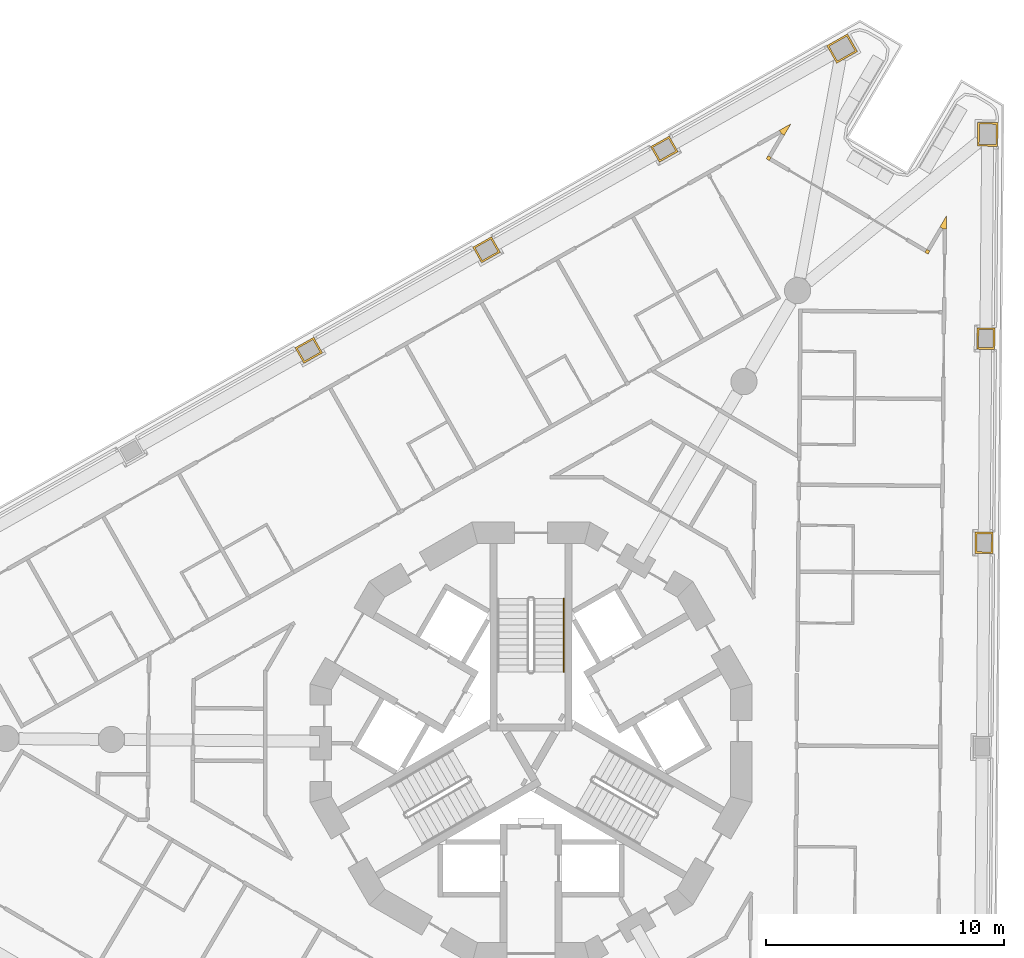
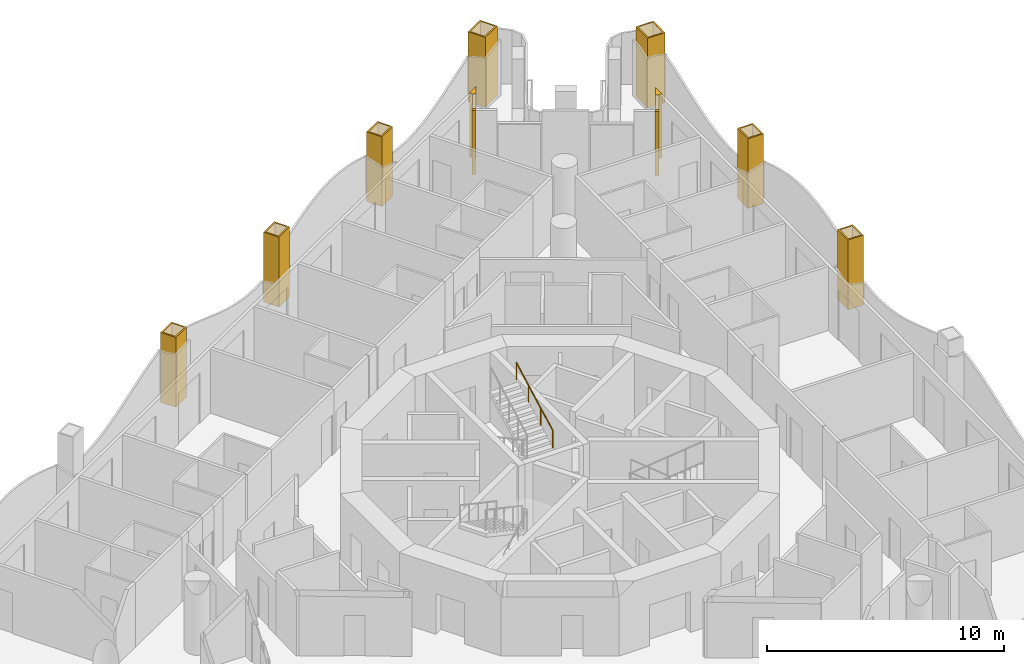
# One storey, part 17 of 18: 11 coverings, 1 railing.
"""IFC4 building model written with IfcOpenShell, lengths in metres."""

import ifcopenshell
import ifcopenshell.guid

model = None  # the IFC model being written
_history = None  # IfcOwnerHistory: only IFC2X3 demands one
_inside = {}  # id of a spatial element -> (the spatial element, [elements in it])
_under = {}  # id of a project, library or spatial element -> (it, [spatial elements below it])
_declared = {}  # id of a project -> (the project, [libraries it declares])
_typed = {}  # id of a type object -> (the type object, [elements of that type])
_made_of = {}  # id of a material, layer set ... -> (it, [elements and type objects made of it])


def new_model(schema):
    """Start an empty IFC model of exactly this schema.

    Asked for "IFC4X3", IfcOpenShell would pick the latest addendum, in which some entities
    have other attributes; the version numbers below select the first issue.
    IFC2X3 requires an IfcOwnerHistory on every rooted entity: one is made here for all.
    """
    global model, _history
    if schema == "IFC4X3":
        model = ifcopenshell.file(schema_version=(4, 3, 0, 0))
    else:
        model = ifcopenshell.file(schema=schema)
    _inside.clear()
    _under.clear()
    _declared.clear()
    _typed.clear()
    _made_of.clear()
    _history = None
    if model.schema == "IFC2X3":
        org = make("IfcOrganization", Name="unknown")
        user = make(
            "IfcPersonAndOrganization",
            ThePerson=make("IfcPerson", FamilyName="unknown"),
            TheOrganization=org,
        )
        app = make(
            "IfcApplication",
            ApplicationDeveloper=org,
            Version="unknown",
            ApplicationFullName="unknown",
            ApplicationIdentifier="unknown",
        )
        _history = make(
            "IfcOwnerHistory",
            OwningUser=user,
            OwningApplication=app,
            ChangeAction="ADDED",
            CreationDate=0,
        )
    return model


def make(cls, **values):
    """One entity of the class cls with the attributes given. An attribute that is None is left unset."""
    return model.create_entity(
        cls, **{name: value for name, value in values.items() if value is not None}
    )


def rooted(cls, **values):
    """An entity with a GlobalId (a new one), such as an element, a storey or a relation."""
    return make(cls, GlobalId=ifcopenshell.guid.new(), OwnerHistory=_history, **values)


def si_unit(unit_type, name, prefix=None):
    """IfcSIUnit, for example si_unit("LENGTHUNIT", "METRE", prefix="MILLI")."""
    return make("IfcSIUnit", UnitType=unit_type, Prefix=prefix, Name=name)


def assignment(units):
    """IfcUnitAssignment: the units of a project."""
    return None if units is None else make("IfcUnitAssignment", Units=units)


def point(xyz):
    """IfcCartesianPoint."""
    return None if xyz is None else make("IfcCartesianPoint", Coordinates=xyz)


def direction(xyz):
    """IfcDirection."""
    return None if xyz is None else make("IfcDirection", DirectionRatios=xyz)


def frame(location, z_axis=None, x_axis=None):
    """IfcAxis2Placement3D, a coordinate frame: its origin and axes. An axis left out is left unset."""
    return make(
        "IfcAxis2Placement3D",
        Location=point(location),
        Axis=direction(z_axis),
        RefDirection=direction(x_axis),
    )


def frame_2d(location, x_axis=None):
    """IfcAxis2Placement2D, a coordinate frame in the plane: its origin and x axis."""
    return make(
        "IfcAxis2Placement2D", Location=point(location), RefDirection=direction(x_axis)
    )


def origin():
    """The frame at (0, 0, 0) with its axes left unset."""
    return frame((0.0, 0.0, 0.0))


def origin_2d():
    """The frame at (0, 0) in the plane with its x axis left unset."""
    return frame_2d((0.0, 0.0))


def place(relative_to, where):
    """IfcLocalPlacement: puts the frame where relative to a parent placement (None: the world)."""
    return make(
        "IfcLocalPlacement", PlacementRelTo=relative_to, RelativePlacement=where
    )


def context(
    kind, dimensions, precision=None, world=None, true_north=None, identifier=None
):
    """IfcGeometricRepresentationContext, for example the 3D "Model" context."""
    return make(
        "IfcGeometricRepresentationContext",
        ContextIdentifier=identifier,
        ContextType=kind,
        CoordinateSpaceDimension=dimensions,
        Precision=precision,
        WorldCoordinateSystem=world,
        TrueNorth=true_north,
    )


def subcontext(parent, identifier, kind, view, scale=None):
    """IfcGeometricRepresentationSubContext, for example "Body" below "Model"."""
    return make(
        "IfcGeometricRepresentationSubContext",
        ContextIdentifier=identifier,
        ContextType=kind,
        ParentContext=parent,
        TargetScale=scale,
        TargetView=view,
    )


def project(units=None, contexts=None):
    """IfcProject with its units and contexts."""
    return rooted(
        "IfcProject",
        Name="project",
        RepresentationContexts=contexts,
        UnitsInContext=assignment(units),
    )


def spatial(cls, under=None, at=None, **own):
    """A site, building, storey or space (cls), placed at a placement, below another one or the project."""
    s = rooted(cls, ObjectPlacement=at, **own)
    if under is not None:
        _under.setdefault(under.id(), (under, []))[1].append(s)
    return s


def polyline(points):
    """IfcPolyline through the points."""
    return make("IfcPolyline", Points=[point(p) for p in points])


def profile(cls, at=None, kind="AREA", **sizes):
    """A parametric profile (cls). Its sizes go by their IFC names, for example OverallWidth=200.0."""
    return make(cls, ProfileType=kind, Position=at, **sizes)


def circle(**sizes):
    """IfcCircleProfileDef."""
    return profile("IfcCircleProfileDef", **sizes)


def outline(outer, holes=None, kind="AREA"):
    """IfcArbitraryClosedProfileDef: a profile drawn as a closed curve; with holes, ...WithVoids."""
    if holes is None:
        return make("IfcArbitraryClosedProfileDef", ProfileType=kind, OuterCurve=outer)
    return make(
        "IfcArbitraryProfileDefWithVoids",
        ProfileType=kind,
        OuterCurve=outer,
        InnerCurves=holes,
    )


def extrude(swept, where, along, depth):
    """IfcExtrudedAreaSolid: the profile swept, set in the frame where, extruded along a direction by depth."""
    return make(
        "IfcExtrudedAreaSolid",
        SweptArea=swept,
        Position=where,
        ExtrudedDirection=direction(along),
        Depth=depth,
    )


def shape(context_of_items, identifier, shape_type, items):
    """IfcShapeRepresentation: the items that make up one representation, for example the "Body"."""
    return make(
        "IfcShapeRepresentation",
        ContextOfItems=context_of_items,
        RepresentationIdentifier=identifier,
        RepresentationType=shape_type,
        Items=items,
    )


def material(Name=None, Category=None):
    """IfcMaterial."""
    return make("IfcMaterial", Name=Name, Category=Category)


def layer(
    of_material, thickness, ventilated=None, Name=None, Category=None, Priority=None
):
    """IfcMaterialLayer: one layer of a wall or slab, of a material (None: an air gap)."""
    return make(
        "IfcMaterialLayer",
        Material=of_material,
        LayerThickness=thickness,
        IsVentilated=ventilated,
        Name=Name,
        Category=Category,
        Priority=Priority,
    )


def layer_set(layers, Name=None):
    """IfcMaterialLayerSet."""
    return make("IfcMaterialLayerSet", MaterialLayers=layers, LayerSetName=Name)


def made_of(thing, what):
    """Note that an element or type object is made of a material, layer set ...; save() writes the relation."""
    if what is not None:
        _made_of.setdefault(what.id(), (what, []))[1].append(thing)
    return thing


def type_object(cls, material=None, **own):
    """A type object (cls), such as IfcWallType, which elements share."""
    return made_of(rooted(cls, **own), material)


def element(
    cls,
    number,
    at=None,
    inside=None,
    cuts=None,
    type_object=None,
    material=None,
    context=None,
    identifier="Body",
    shape_type=None,
    held_by="IfcProductDefinitionShape",
    body=None,
    shapes=None,
    **own,
):
    """One element of the class cls, such as IfcWall. Its Tag is "e" and its number.

    at: its placement. inside: the storey or other place that contains it. cuts: it is an
    opening in that element (IfcRelVoidsElement). A single representation is given by context,
    identifier, shape_type and body (its items); several are given by shapes. held_by: the class
    of the entity that holds the representations. save() writes the other relations.
    """
    e = rooted(cls, Tag="e%d" % number, ObjectPlacement=at, **own)
    if body is not None:
        shapes = [shape(context, identifier, shape_type, body)]
    if shapes is not None:
        e.Representation = make(held_by, Representations=shapes)
    if inside is not None:
        _inside.setdefault(inside.id(), (inside, []))[1].append(e)
    if cuts is not None:
        rooted(
            "IfcRelVoidsElement", RelatingBuildingElement=cuts, RelatedOpeningElement=e
        )
    if type_object is not None:
        _typed.setdefault(type_object.id(), (type_object, []))[1].append(e)
    return made_of(e, material)


def aggregate(whole, parts):
    """IfcRelAggregates: a whole, such as a stair, and the parts it consists of."""
    return rooted("IfcRelAggregates", RelatingObject=whole, RelatedObjects=parts)


def save(model, path):
    """Write the relations noted so far, then the file.

    IfcRelAggregates (storeys below a building ...), IfcRelContainedInSpatialStructure (elements
    in a storey), IfcRelDefinesByType, IfcRelAssociatesMaterial and IfcRelDeclares: one each for
    every whole, place, type object, material and project.
    """
    for whole, parts in _under.values():
        aggregate(whole, parts)
    for where, things in _inside.values():
        rooted(
            "IfcRelContainedInSpatialStructure",
            RelatedElements=things,
            RelatingStructure=where,
        )
    for kind, things in _typed.values():
        rooted("IfcRelDefinesByType", RelatedObjects=things, RelatingType=kind)
    for what, things in _made_of.values():
        rooted("IfcRelAssociatesMaterial", RelatedObjects=things, RelatingMaterial=what)
    for by, libraries in _declared.values():
        rooted("IfcRelDeclares", RelatingContext=by, RelatedDefinitions=libraries)
    model.write(path)


model = new_model("IFC4")

# Units and contexts
model_context = context("Model", 3, precision=1e-05, world=origin(), true_north=direction((0.0, 1.0)))
body_context = subcontext(model_context, "Body", "Model", "MODEL_VIEW")
ifc_project = project(units=[si_unit("LENGTHUNIT", "METRE"), si_unit("AREAUNIT", "SQUARE_METRE"), si_unit("VOLUMEUNIT", "CUBIC_METRE"), si_unit("PLANEANGLEUNIT", "RADIAN"), si_unit("MASSUNIT", "GRAM", prefix="KILO")], contexts=[model_context])

# Site, building, storey
site_placement = place(None, origin())
site = spatial("IfcSite", under=ifc_project, at=site_placement, CompositionType="ELEMENT")
building_placement = place(site_placement, origin())
building = spatial("IfcBuilding", under=site, at=building_placement, Name="Trine Commons Tower", CompositionType="ELEMENT")
storey_placement = place(building_placement, frame((0.0, 0.0, 171.89990234375)))
storey = spatial("IfcBuildingStorey", under=building, at=storey_placement, Name="L44", CompositionType="ELEMENT", Elevation=171.89990234375)

# Coverings
ifc_material_1 = material(Name="Aluminium-framed insulated wall panel", Category="aluminium")
ifc_layer_1 = layer(ifc_material_1, 0.14990234375)
ifc_layer_set_1 = layer_set([ifc_layer_1], Name="Aluminium-framed insulated wall panel")
covering_type_1 = type_object("IfcCoveringType", Name="Glazing corner post, aluminium", PredefinedType="CLADDING", material=ifc_layer_set_1)
covering_1_placement = place(storey_placement, origin())
element("IfcCovering", 1, at=covering_1_placement, inside=storey, type_object=covering_type_1, Name="Glazing corner post 5-05", PredefinedType="CLADDING", context=body_context, shape_type="SweptSolid", body=[
    extrude(outline(polyline([(90.626220703125, 88.007080078125), (90.910400390625, 88.489501953125), (90.423095703125, 88.213623046875), (90.496826171875, 88.083251953125), (90.626220703125, 88.007080078125)])), origin(), (0.0, 0.0, 1.0), 3.300048828125),
])
covering_2_placement = place(storey_placement, origin())
element("IfcCovering", 2, at=covering_2_placement, inside=storey, type_object=covering_type_1, Name="Glazing corner post 5-06", PredefinedType="CLADDING", context=body_context, shape_type="SweptSolid", body=[
    extrude(outline(polyline([(89.9990234375, 86.9423828125), (90.0751953125, 87.071533203125), (89.94580078125, 87.147705078125), (89.86962890625, 87.018310546875), (89.9990234375, 86.9423828125)])), origin(), (0.0, 0.0, 1.0), 3.300048828125),
])
covering_3_placement = place(storey_placement, origin())
element("IfcCovering", 3, at=covering_3_placement, inside=storey, type_object=covering_type_1, Name="Glazing corner post 5-07", PredefinedType="CLADDING", context=body_context, shape_type="SweptSolid", body=[
    extrude(outline(polyline([(96.530029296875, 83.09521484375), (96.659423828125, 83.01904296875), (96.735595703125, 83.148193359375), (96.606201171875, 83.224365234375), (96.530029296875, 83.09521484375)])), origin(), (0.0, 0.0, 1.0), 3.300048828125),
])
covering_4_placement = place(storey_placement, origin())
element("IfcCovering", 4, at=covering_4_placement, inside=storey, type_object=covering_type_1, Name="Glazing corner post 5-08", PredefinedType="CLADDING", context=body_context, shape_type="SweptSolid", body=[
    extrude(outline(polyline([(97.4365234375, 84.08251953125), (97.44140625, 84.64208984375), (97.1572265625, 84.159912109375), (97.28662109375, 84.083740234375), (97.4365234375, 84.08251953125)])), origin(), (0.0, 0.0, 1.0), 3.300048828125),
])
ifc_material_2 = material(Name="Limestone, honed", Category="masonry")
ifc_layer_2 = layer(ifc_material_2, 0.074951171875)
ifc_layer_set_2 = layer_set([ifc_layer_2], Name="Limestone, honed")
covering_type_2 = type_object("IfcCoveringType", Name="Limestone column cladding 75", PredefinedType="CLADDING", material=ifc_layer_set_2)
covering_5_placement = place(storey_placement, origin())
element("IfcCovering", 5, at=covering_5_placement, inside=storey, type_object=covering_type_2, Name="Limestone pier cladding 5-11", PredefinedType="CLADDING", context=body_context, shape_type="SweptSolid", body=[
    extrude(outline(polyline([(71.2509765625, 78.877685546875), (70.881591796875, 79.530517578125), (70.098388671875, 79.087158203125), (70.4677734375, 78.434326171875), (71.2509765625, 78.877685546875)]), holes=[polyline([(71.148681640625, 78.906005859375), (70.853515625, 79.42822265625), (70.20068359375, 79.058837890625), (70.49609375, 78.53662109375), (71.148681640625, 78.906005859375)])]), origin(), (0.0, 0.0, 1.0), 3.60009765625),
])
covering_6_placement = place(storey_placement, origin())
element("IfcCovering", 6, at=covering_6_placement, inside=storey, type_object=covering_type_2, Name="Limestone pier cladding 5-12", PredefinedType="CLADDING", context=body_context, shape_type="SweptSolid", body=[
    extrude(outline(polyline([(78.71044921875, 83.097900390625), (78.34130859375, 83.750732421875), (77.557861328125, 83.3076171875), (77.92724609375, 82.65478515625), (78.71044921875, 83.097900390625)]), holes=[polyline([(78.6083984375, 83.12646484375), (78.31298828125, 83.648681640625), (77.66015625, 83.279296875), (77.95556640625, 82.757080078125), (78.6083984375, 83.12646484375)])]), origin(), (0.0, 0.0, 1.0), 3.60009765625),
])
covering_7_placement = place(storey_placement, origin())
element("IfcCovering", 7, at=covering_7_placement, inside=storey, type_object=covering_type_2, Name="Limestone pier cladding 5-13", PredefinedType="CLADDING", context=body_context, shape_type="SweptSolid", body=[
    extrude(outline(polyline([(86.169921875, 87.318359375), (85.80078125, 87.97119140625), (85.017333984375, 87.52783203125), (85.38671875, 86.875), (86.169921875, 87.318359375)]), holes=[polyline([(86.06787109375, 87.3466796875), (85.7724609375, 87.868896484375), (85.11962890625, 87.49951171875), (85.4150390625, 86.977294921875), (86.06787109375, 87.3466796875)])]), origin(), (0.0, 0.0, 1.0), 3.60009765625),
])
covering_8_placement = place(storey_placement, origin())
element("IfcCovering", 8, at=covering_8_placement, inside=storey, type_object=covering_type_2, Name="Limestone pier cladding 5-14", PredefinedType="CLADDING", context=body_context, shape_type="SweptSolid", body=[
    extrude(outline(polyline([(93.697509765625, 91.519775390625), (93.279052734375, 92.259521484375), (92.40869140625, 91.76708984375), (92.8271484375, 91.02734375), (93.697509765625, 91.519775390625)]), holes=[polyline([(93.59521484375, 91.548095703125), (93.250732421875, 92.157470703125), (92.510986328125, 91.73876953125), (92.85546875, 91.129638671875), (93.59521484375, 91.548095703125)])]), origin(), (0.0, 0.0, 1.0), 3.60009765625),
])
covering_9_placement = place(storey_placement, origin())
element("IfcCovering", 9, at=covering_9_placement, inside=storey, type_object=covering_type_2, Name="Limestone pier cladding 5-15", PredefinedType="CLADDING", context=body_context, shape_type="SweptSolid", body=[
    extrude(outline(polyline([(99.590576171875, 88.5419921875), (98.740478515625, 88.54931640625), (98.73193359375, 87.54931640625), (99.581787109375, 87.5419921875), (99.590576171875, 88.5419921875)]), holes=[polyline([(99.514892578125, 88.467529296875), (98.81494140625, 88.4736328125), (98.8076171875, 87.623779296875), (99.507568359375, 87.61767578125), (99.514892578125, 88.467529296875)])]), origin(), (0.0, 0.0, 1.0), 3.60009765625),
])
covering_10_placement = place(storey_placement, origin())
element("IfcCovering", 10, at=covering_10_placement, inside=storey, type_object=covering_type_2, Name="Limestone pier cladding 5-16", PredefinedType="CLADDING", context=body_context, shape_type="SweptSolid", body=[
    extrude(outline(polyline([(99.46533203125, 79.922119140625), (98.71533203125, 79.9287109375), (98.70751953125, 79.028564453125), (99.45751953125, 79.02197265625), (99.46533203125, 79.922119140625)]), holes=[polyline([(99.3896484375, 79.84765625), (98.789794921875, 79.852783203125), (98.783203125, 79.102783203125), (99.383056640625, 79.09765625), (99.3896484375, 79.84765625)])]), origin(), (0.0, 0.0, 1.0), 3.60009765625),
])
covering_11_placement = place(storey_placement, origin())
element("IfcCovering", 11, at=covering_11_placement, inside=storey, type_object=covering_type_2, Name="Limestone pier cladding 5-17", PredefinedType="CLADDING", context=body_context, shape_type="SweptSolid", body=[
    extrude(outline(polyline([(99.390380859375, 71.351806640625), (98.640380859375, 71.3583984375), (98.6328125, 70.458251953125), (99.3828125, 70.45166015625), (99.390380859375, 71.351806640625)]), holes=[polyline([(99.31494140625, 71.27734375), (98.71484375, 71.28271484375), (98.708251953125, 70.53271484375), (99.308349609375, 70.52734375), (99.31494140625, 71.27734375)])]), origin(), (0.0, 0.0, 1.0), 3.60009765625),
])

# Railing
ifc_material_3 = material(Name="Stainless steel handrail", Category="steel")
railing_type = type_object("IfcRailingType", Name="Stair handrail, steel 900", PredefinedType="HANDRAIL", material=ifc_material_3)
railing_placement = place(storey_placement, frame((81.375, 65.490478515625, 1.9501953125)))
element("IfcRailing", 12, at=railing_placement, inside=storey, type_object=railing_type, Name="L44 ST1B stair handrail 2", PredefinedType="HANDRAIL", context=body_context, shape_type="SweptSolid", body=[
    extrude(circle(Radius=0.02099609375, at=origin_2d()), frame((0.0, 0.0, 0.87890625), z_axis=(0.0, 0.881496589024, 0.472190389079), x_axis=(-1.0, 0.0, 0.0)), (0.0, 0.0, 1.0), 3.494140625),
    extrude(circle(Radius=0.01513671875, at=origin_2d()), origin(), (0.0, 0.0, 1.0), 0.85791015625),
    extrude(circle(Radius=0.01513671875, at=origin_2d()), frame((0.0, 1.026611328125, 0.550048828125)), (0.0, 0.0, 1.0), 0.85791015625),
    extrude(circle(Radius=0.01513671875, at=origin_2d()), frame((0.0, 2.053466796875, 1.099853515625)), (0.0, 0.0, 1.0), 0.85791015625),
    extrude(circle(Radius=0.01513671875, at=origin_2d()), frame((0.0, 3.080078125, 1.64990234375)), (0.0, 0.0, 1.0), 0.85791015625),
])

save(model, "model.ifc")
